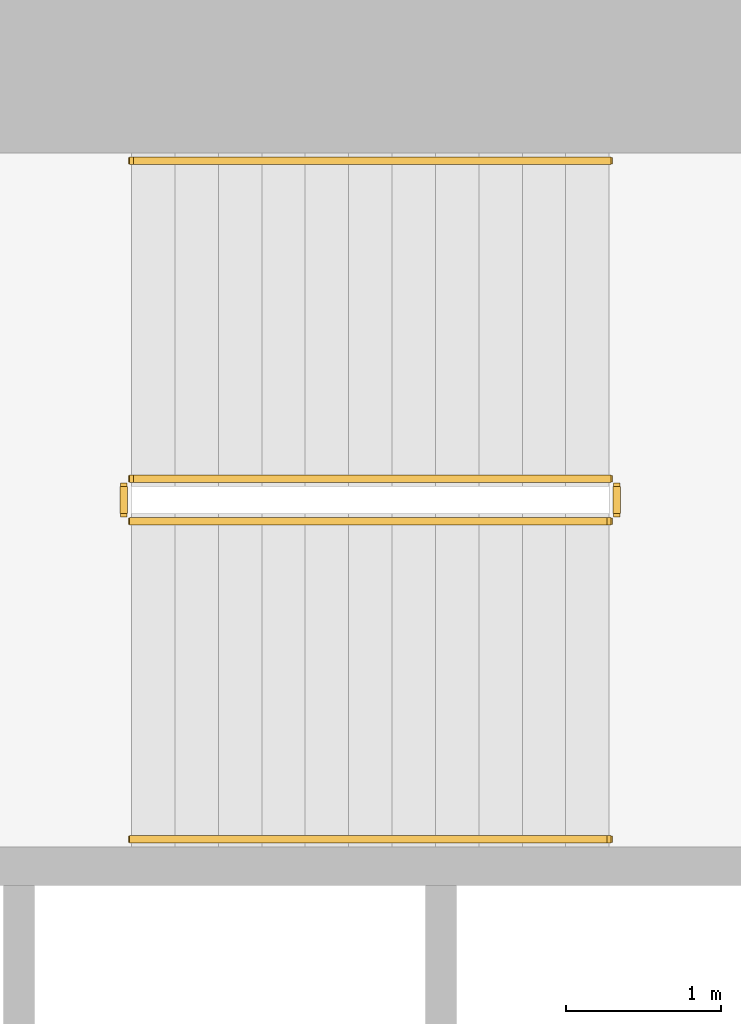
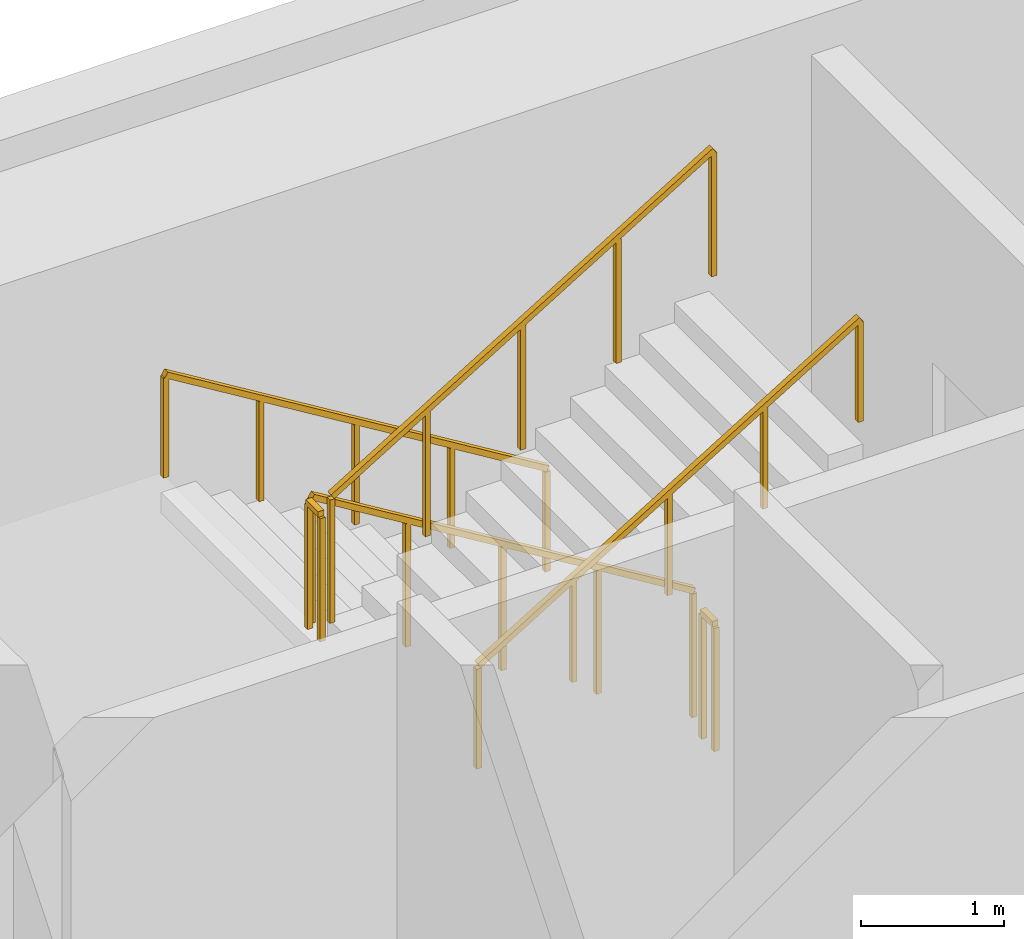
# One storey, part 13 of 15: 6 railings.
"""IFC4 building model written with IfcOpenShell, lengths in metres."""

from ifc_helpers import new_model, si_unit, direction, frame, origin, origin_2d, place, context, subcontext, project, spatial, rectangle, extrude, material, type_object, element, save


model = new_model("IFC4")

# Units and contexts
model_context = context("Model", 3, precision=1e-05, world=origin(), true_north=direction((0.0, 1.0)))
body_context = subcontext(model_context, "Body", "Model", "MODEL_VIEW")
ifc_project = project(units=[si_unit("LENGTHUNIT", "METRE"), si_unit("AREAUNIT", "SQUARE_METRE"), si_unit("VOLUMEUNIT", "CUBIC_METRE"), si_unit("PLANEANGLEUNIT", "RADIAN"), si_unit("MASSUNIT", "GRAM", prefix="KILO")], contexts=[model_context])

# Site, building, storey
site_placement = place(None, origin())
site = spatial("IfcSite", under=ifc_project, at=site_placement, CompositionType="ELEMENT")
building_placement = place(site_placement, origin())
building = spatial("IfcBuilding", under=site, at=building_placement, Name="Cypress Arch Tower", CompositionType="ELEMENT")
storey_placement = place(building_placement, frame((0.0, 0.0, 176.89990234375)))
storey = spatial("IfcBuildingStorey", under=building, at=storey_placement, Name="L38", CompositionType="ELEMENT", Elevation=176.89990234375)

# Railings
ifc_material_1 = material(Name="Black powder-coated steel square bar 48 mm", Category="steel")
railing_type_1 = type_object("IfcRailingType", Name="Stair handrail HR1", PredefinedType="HANDRAIL", material=ifc_material_1)
railing_1_placement = place(storey_placement, frame((-22.27490234375, 14.75, 0.1708984375)))
element("IfcRailing", 1, at=railing_1_placement, inside=storey, type_object=railing_type_1, Name="L38 B stair handrail 1", PredefinedType="HANDRAIL", context=body_context, shape_type="SweptSolid", body=[
    extrude(rectangle(XDim=0.048095703125, YDim=0.048095703125, at=origin_2d()), frame((0.0, 0.0, 0.8759765625), z_axis=(-0.853666305674, 0.0, 0.52082035152), x_axis=(0.0, -1.0, 0.0)), (0.0, 0.0, 1.0), 3.608154296875),
    extrude(rectangle(XDim=0.0419921875, YDim=0.0419921875, at=origin_2d()), origin(), (0.0, 0.0, 1.0), 0.851806640625),
    extrude(rectangle(XDim=0.0419921875, YDim=0.0419921875, at=origin_2d()), frame((-0.77001953125, 0.0, 0.4697265625)), (0.0, 0.0, 1.0), 0.851806640625),
    extrude(rectangle(XDim=0.0419921875, YDim=0.0419921875, at=origin_2d()), frame((-1.5400390625, 0.0, 0.939453125)), (0.0, 0.0, 1.0), 0.851806640625),
    extrude(rectangle(XDim=0.0419921875, YDim=0.0419921875, at=origin_2d()), frame((-2.31005859375, 0.0, 1.409423828125)), (0.0, 0.0, 1.0), 0.851806640625),
    extrude(rectangle(XDim=0.0419921875, YDim=0.0419921875, at=origin_2d()), frame((-3.080078125, 0.0, 1.879150390625)), (0.0, 0.0, 1.0), 0.851806640625),
])
railing_2_placement = place(storey_placement, frame((-25.35498046875, 10.375, 2.220947265625)))
element("IfcRailing", 2, at=railing_2_placement, inside=storey, type_object=railing_type_1, Name="L38 B stair handrail 2", PredefinedType="HANDRAIL", context=body_context, shape_type="SweptSolid", body=[
    extrude(rectangle(XDim=0.048095703125, YDim=0.048095703125, at=origin_2d()), frame((0.0, 0.0, 0.8759765625), z_axis=(0.853666305674, 0.0, 0.52082035152), x_axis=(0.0, 1.0, 0.0)), (0.0, 0.0, 1.0), 3.608154296875),
    extrude(rectangle(XDim=0.0419921875, YDim=0.0419921875, at=origin_2d()), origin(), (0.0, 0.0, 1.0), 0.851806640625),
    extrude(rectangle(XDim=0.0419921875, YDim=0.0419921875, at=origin_2d()), frame((0.77001953125, 0.0, 0.4697265625)), (0.0, 0.0, 1.0), 0.851806640625),
    extrude(rectangle(XDim=0.0419921875, YDim=0.0419921875, at=origin_2d()), frame((1.5400390625, 0.0, 0.939453125)), (0.0, 0.0, 1.0), 0.851806640625),
    extrude(rectangle(XDim=0.0419921875, YDim=0.0419921875, at=origin_2d()), frame((2.31005859375, 0.0, 1.409423828125)), (0.0, 0.0, 1.0), 0.851806640625),
    extrude(rectangle(XDim=0.0419921875, YDim=0.0419921875, at=origin_2d()), frame((3.080078125, 0.0, 1.879150390625)), (0.0, 0.0, 1.0), 0.851806640625),
])
ifc_material_2 = material(Name="Black powder-coated steel balusters", Category="steel")
railing_type_2 = type_object("IfcRailingType", Name="Stair well guard G1", PredefinedType="GUARDRAIL", material=ifc_material_2)
railing_3_placement = place(storey_placement, frame((-22.27490234375, 12.699951171875, 0.1708984375)))
element("IfcRailing", 3, at=railing_3_placement, inside=storey, type_object=railing_type_2, Name="L38 B stair guard 1", PredefinedType="GUARDRAIL", context=body_context, shape_type="SweptSolid", body=[
    extrude(rectangle(XDim=0.048095703125, YDim=0.048095703125, at=origin_2d()), frame((0.0, 0.0, 1.076171875), z_axis=(-0.853666305674, 0.0, 0.52082035152), x_axis=(0.0, -1.0, 0.0)), (0.0, 0.0, 1.0), 3.608154296875),
    extrude(rectangle(XDim=0.0419921875, YDim=0.0419921875, at=origin_2d()), origin(), (0.0, 0.0, 1.0), 1.052001953125),
    extrude(rectangle(XDim=0.0419921875, YDim=0.0419921875, at=origin_2d()), frame((-0.77001953125, 0.0, 0.4697265625)), (0.0, 0.0, 1.0), 1.052001953125),
    extrude(rectangle(XDim=0.0419921875, YDim=0.0419921875, at=origin_2d()), frame((-1.5400390625, 0.0, 0.939453125)), (0.0, 0.0, 1.0), 1.052001953125),
    extrude(rectangle(XDim=0.0419921875, YDim=0.0419921875, at=origin_2d()), frame((-2.31005859375, 0.0, 1.409423828125)), (0.0, 0.0, 1.0), 1.052001953125),
    extrude(rectangle(XDim=0.0419921875, YDim=0.0419921875, at=origin_2d()), frame((-3.080078125, 0.0, 1.879150390625)), (0.0, 0.0, 1.0), 1.052001953125),
])
railing_4_placement = place(storey_placement, frame((-25.405029296875, 12.64990234375, 2.050048828125)))
element("IfcRailing", 4, at=railing_4_placement, inside=storey, type_object=railing_type_2, Name="L38 B stair guard 2", PredefinedType="GUARDRAIL", context=body_context, shape_type="SweptSolid", body=[
    extrude(rectangle(XDim=0.048095703125, YDim=0.048095703125, at=origin_2d()), frame((0.0, 0.0, 1.076171875), z_axis=(0.0, -1.0, 0.0), x_axis=(1.0, 0.0, 0.0)), (0.0, 0.0, 1.0), 0.1748046875),
    extrude(rectangle(XDim=0.0419921875, YDim=0.0419921875, at=origin_2d()), origin(), (0.0, 0.0, 1.0), 1.052001953125),
    extrude(rectangle(XDim=0.0419921875, YDim=0.0419921875, at=origin_2d()), frame((0.0, -0.1748046875, 0.0)), (0.0, 0.0, 1.0), 1.052001953125),
])
railing_5_placement = place(storey_placement, frame((-25.35498046875, 12.425048828125, 2.220947265625)))
element("IfcRailing", 5, at=railing_5_placement, inside=storey, type_object=railing_type_2, Name="L38 B stair guard 3", PredefinedType="GUARDRAIL", context=body_context, shape_type="SweptSolid", body=[
    extrude(rectangle(XDim=0.048095703125, YDim=0.048095703125, at=origin_2d()), frame((0.0, 0.0, 1.076171875), z_axis=(0.853666305674, 0.0, 0.52082035152), x_axis=(0.0, 1.0, 0.0)), (0.0, 0.0, 1.0), 3.608154296875),
    extrude(rectangle(XDim=0.0419921875, YDim=0.0419921875, at=origin_2d()), origin(), (0.0, 0.0, 1.0), 1.052001953125),
    extrude(rectangle(XDim=0.0419921875, YDim=0.0419921875, at=origin_2d()), frame((0.77001953125, 0.0, 0.4697265625)), (0.0, 0.0, 1.0), 1.052001953125),
    extrude(rectangle(XDim=0.0419921875, YDim=0.0419921875, at=origin_2d()), frame((1.5400390625, 0.0, 0.939453125)), (0.0, 0.0, 1.0), 1.052001953125),
    extrude(rectangle(XDim=0.0419921875, YDim=0.0419921875, at=origin_2d()), frame((2.31005859375, 0.0, 1.409423828125)), (0.0, 0.0, 1.0), 1.052001953125),
    extrude(rectangle(XDim=0.0419921875, YDim=0.0419921875, at=origin_2d()), frame((3.080078125, 0.0, 1.879150390625)), (0.0, 0.0, 1.0), 1.052001953125),
])
railing_6_placement = place(storey_placement, frame((-22.22509765625, 12.64990234375, 0.0)))
element("IfcRailing", 6, at=railing_6_placement, inside=storey, type_object=railing_type_2, Name="L38 B stair guard 4", PredefinedType="GUARDRAIL", context=body_context, shape_type="SweptSolid", body=[
    extrude(rectangle(XDim=0.048095703125, YDim=0.048095703125, at=origin_2d()), frame((0.0, 0.0, 1.076171875), z_axis=(0.0, -1.0, 0.0), x_axis=(1.0, 0.0, 0.0)), (0.0, 0.0, 1.0), 0.1748046875),
    extrude(rectangle(XDim=0.0419921875, YDim=0.0419921875, at=origin_2d()), origin(), (0.0, 0.0, 1.0), 1.052001953125),
    extrude(rectangle(XDim=0.0419921875, YDim=0.0419921875, at=origin_2d()), frame((0.0, -0.1748046875, 0.0)), (0.0, 0.0, 1.0), 1.052001953125),
])

save(model, "model.ifc")
